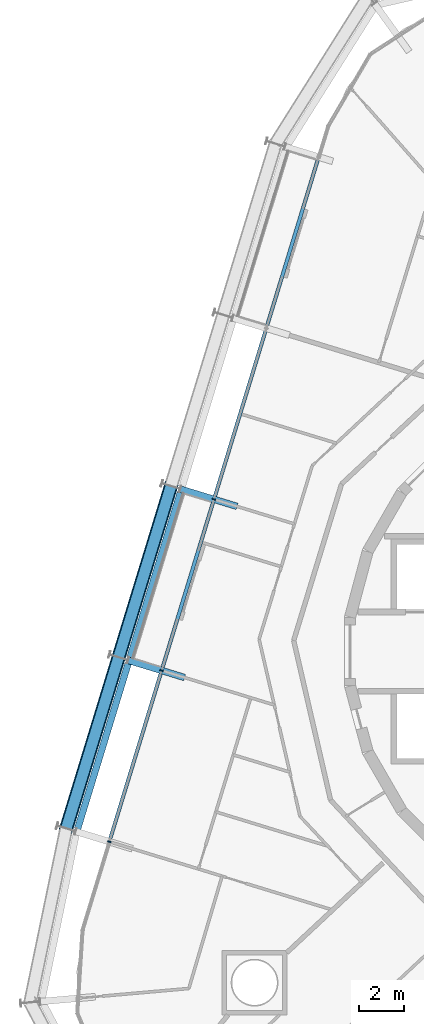
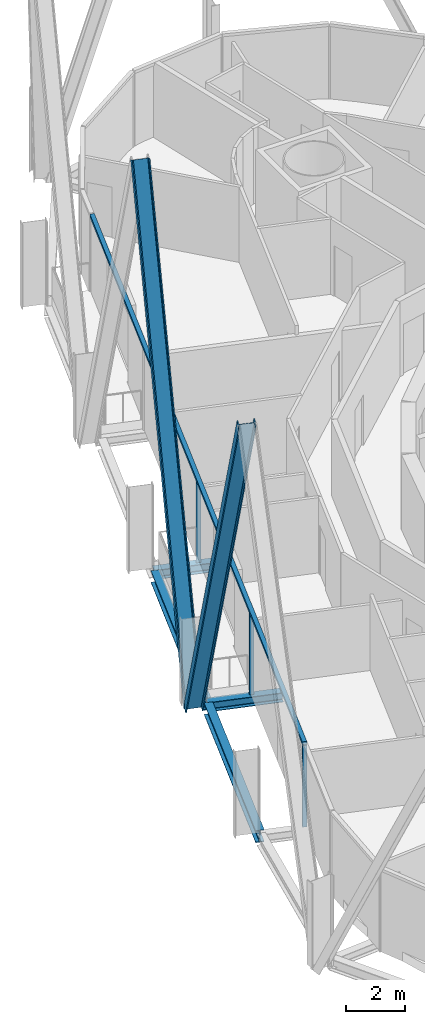
# One storey, part 5 of 18: 6 members, 4 beams, 2 elements without a shape of their own.
"""IFC4 building model written with IfcOpenShell, lengths in metres."""

from ifc_helpers import new_model, si_unit, direction, frame, origin, origin_2d, place, context, subcontext, project, spatial, rectangle, i_section, extrude, material, layer, layer_set, material_profile, profile_set, type_object, element, aggregate, save


model = new_model("IFC4")

# Units and contexts
model_context = context("Model", 3, precision=1e-05, world=origin(), true_north=direction((0.0, 1.0)))
body_context = subcontext(model_context, "Body", "Model", "MODEL_VIEW")
ifc_project = project(units=[si_unit("LENGTHUNIT", "METRE"), si_unit("AREAUNIT", "SQUARE_METRE"), si_unit("VOLUMEUNIT", "CUBIC_METRE"), si_unit("PLANEANGLEUNIT", "RADIAN"), si_unit("MASSUNIT", "GRAM", prefix="KILO")], contexts=[model_context])

# Site, building, storey
site_placement = place(None, origin())
site = spatial("IfcSite", under=ifc_project, at=site_placement, CompositionType="ELEMENT")
building_placement = place(site_placement, origin())
building = spatial("IfcBuilding", under=site, at=building_placement, Name="Spindle Arch Residences", CompositionType="ELEMENT")
storey_placement = place(building_placement, frame((0.0, 0.0, 127.39990234375)))
storey = spatial("IfcBuildingStorey", under=building, at=storey_placement, Name="L31", CompositionType="ELEMENT", Elevation=127.39990234375)

# Curtain wall, members
ifc_material_1 = material(Name="Aluminium bronze unitised frame with tinted glass", Category="aluminium")
ifc_layer_1 = layer(ifc_material_1, 0.159912109375)
ifc_layer_set_1 = layer_set([ifc_layer_1], Name="CW-C typical residential unitised wall")
curtain_wall_type_1 = type_object("IfcCurtainWallType", Name="CW-C typical residential unitised wall", PredefinedType="NOTDEFINED", material=ifc_layer_set_1)
curtain_wall_1_placement = place(storey_placement, origin())
curtain_wall_1 = element("IfcCurtainWall", 1, at=curtain_wall_1_placement, inside=storey, type_object=curtain_wall_type_1, Name="CW-C L31 run 4", PredefinedType="NOTDEFINED")
ifc_material_2 = material(Name="Aluminium bronze anodised mullion", Category="aluminium")
ifc_material_profile_1 = material_profile(ifc_material_2, rectangle(XDim=0.159912109375, YDim=0.06005859375, at=origin_2d()), Name="MU 60x160")
ifc_profile_set_1 = profile_set([ifc_material_profile_1], Name="Aluminium bronze anodised mullion")
member_type_1 = type_object("IfcMemberType", Name="Bronze mullion 60x160", PredefinedType="MULLION", material=ifc_profile_set_1)
member_1_placement = place(storey_placement, frame((-17.750732421875, 6.826171875, -0.3798828125), z_axis=(0.0, 0.0, 1.0), x_axis=(0.956304755963, -0.292371704723, 0.0)))
member_1 = element("IfcMember", 2, at=member_1_placement, type_object=member_type_1, Name="CW-C mullion 14", PredefinedType="MULLION", context=body_context, shape_type="SweptSolid", body=[
    extrude(rectangle(XDim=0.159912109375, YDim=0.06005859375, at=origin_2d()), origin(), (0.0, 0.0, 1.0), 3.3798828125),
])
member_2_placement = place(storey_placement, frame((-20.09814453125, -0.85205078125, -0.3798828125), z_axis=(0.0, 0.0, 1.0), x_axis=(0.956304755963, -0.292371704723, 0.0)))
member_2 = element("IfcMember", 3, at=member_2_placement, type_object=member_type_1, Name="CW-C mullion 15", PredefinedType="MULLION", context=body_context, shape_type="SweptSolid", body=[
    extrude(rectangle(XDim=0.159912109375, YDim=0.06005859375, at=origin_2d()), origin(), (0.0, 0.0, 1.0), 3.3798828125),
])

# Curtain wall, member
ifc_material_3 = material(Name="Aluminium bronze unitised frame with tinted glass", Category="aluminium")
ifc_layer_2 = layer(ifc_material_3, 0.159912109375)
ifc_layer_set_2 = layer_set([ifc_layer_2], Name="CW-D corner wall on the fillet arcs")
curtain_wall_type_2 = type_object("IfcCurtainWallType", Name="CW-D corner wall on the fillet arcs", PredefinedType="NOTDEFINED", material=ifc_layer_set_2)
curtain_wall_2_placement = place(storey_placement, origin())
curtain_wall_2 = element("IfcCurtainWall", 4, at=curtain_wall_2_placement, inside=storey, type_object=curtain_wall_type_2, Name="CW-D L31 run 5", PredefinedType="NOTDEFINED")
member_3_placement = place(storey_placement, frame((-22.44580078125, -8.5302734375, -0.3798828125), z_axis=(0.0, 0.0, 1.0), x_axis=(0.956304755963, -0.292371704723, 0.0)))
member_3 = element("IfcMember", 5, at=member_3_placement, type_object=member_type_1, Name="CW-D mullion 00", PredefinedType="MULLION", context=body_context, shape_type="SweptSolid", body=[
    extrude(rectangle(XDim=0.159912109375, YDim=0.06005859375, at=origin_2d()), origin(), (0.0, 0.0, 1.0), 3.3798828125),
])
aggregate(curtain_wall_2, [member_3])

# Member
ifc_material_4 = material(Name="Aluminium bronze anodised transom", Category="aluminium")
ifc_material_profile_2 = material_profile(ifc_material_4, rectangle(XDim=0.159912109375, YDim=0.1201171875, at=origin_2d()), Name="TR 120x160")
ifc_profile_set_2 = profile_set([ifc_material_profile_2], Name="Aluminium bronze anodised transom")
member_type_2 = type_object("IfcMemberType", Name="Bronze transom 120x160", PredefinedType="USERDEFINED", material=ifc_profile_set_2)
member_4_placement = place(storey_placement, frame((-13.064453125, 22.154296875, 3.06005859375), z_axis=(-0.292373902287, -0.956304084097, 0.0), x_axis=(0.956304084097, -0.292373902287, 0.0)))
member_4 = element("IfcMember", 6, at=member_4_placement, type_object=member_type_2, Name="CW-C transom 00", ObjectType="TRANSOM", PredefinedType="USERDEFINED", context=body_context, shape_type="SweptSolid", body=[
    extrude(rectangle(XDim=0.159912109375, YDim=0.1201171875, at=origin_2d()), origin(), (0.0, 0.0, 1.0), 32.056640625),
])

aggregate(curtain_wall_1, [member_4, member_1, member_2])

# Members
ifc_material_5 = material(Name="Steel S460ML, intumescent coating R 240", Category="steel")
ifc_material_profile_3 = material_profile(ifc_material_5, i_section(OverallWidth=0.304931640625, OverallDepth=0.6201171875, WebThickness=0.02099609375, FlangeThickness=0.0400390625, FilletRadius=0.027099609375, at=origin_2d()), Name="HEM 600")
ifc_profile_set_3 = profile_set([ifc_material_profile_3], Name="Steel S460ML, intumescent coating R 240")
member_type_3 = type_object("IfcMemberType", Name="Diagrid diagonal HEM 600", PredefinedType="BRACE", material=ifc_profile_set_3)
for number, where, z_axis, x_axis, name in (
    (7, (-22.02978515625, -0.261474609375, -0.6298828125), (0.123237067276, 0.403112740812, 0.906814613603), (-0.265113427183, -0.867195257236, 0.421529662723), "Diagrid diagonal 3.2.15"),
    (8, (-22.02978515625, -0.261474609375, -0.6298828125), (-0.12325032655, -0.403101369591, 0.906817866409), (0.265147303858, 0.867188301406, 0.421522665062), "Diagrid diagonal 3.2.16"),
):
    element("IfcMember", number, at=place(storey_placement, frame(where, z_axis=z_axis, x_axis=x_axis)), inside=storey, type_object=member_type_3, Name=name, PredefinedType="BRACE", context=body_context, shape_type="SweptSolid", body=[
        extrude(i_section(OverallWidth=0.304931640625, OverallDepth=0.6201171875, WebThickness=0.02099609375, FlangeThickness=0.0400390625, FilletRadius=0.027099609375, at=origin_2d()), origin(), (0.0, 0.0, 1.0), 19.0478515625),
    ])

# Beams
ifc_material_6 = material(Name="Steel S460ML, intumescent coating R 120", Category="steel")
ifc_material_profile_4 = material_profile(ifc_material_6, i_section(OverallWidth=0.300048828125, OverallDepth=0.5, WebThickness=0.014404296875, FlangeThickness=0.028076171875, FilletRadius=0.027099609375, at=origin_2d()), Name="HEB 500")
ifc_profile_set_4 = profile_set([ifc_material_profile_4], Name="Steel S460ML, intumescent coating R 120")
beam_type_1 = type_object("IfcBeamType", Name="Exoskeleton edge beam HEB 500", PredefinedType="BEAM", material=ifc_profile_set_4)
beam_1_placement = place(storey_placement, frame((-19.251708984375, 7.1494140625, -0.6298828125), z_axis=(-0.292363030977, -0.95630740775, 0.0), x_axis=(0.95630740775, -0.292363030977, 0.0)))
element("IfcBeam", 9, at=beam_1_placement, inside=storey, type_object=beam_type_1, Name="Exoskeleton edge beam 15", PredefinedType="BEAM", context=body_context, shape_type="SweptSolid", body=[
    extrude(i_section(OverallWidth=0.300048828125, OverallDepth=0.5, WebThickness=0.014404296875, FlangeThickness=0.028076171875, FilletRadius=0.027099609375, at=origin_2d()), origin(), (0.0, 0.0, 1.0), 7.769287109375),
])
beam_2_placement = place(storey_placement, frame((-21.599365234375, -0.529052734375, -0.6298828125), z_axis=(-0.292371816855, -0.956304721681, 0.0), x_axis=(0.956304721681, -0.292371816855, 0.0)))
element("IfcBeam", 10, at=beam_2_placement, inside=storey, type_object=beam_type_1, Name="Exoskeleton edge beam 16", PredefinedType="BEAM", context=body_context, shape_type="SweptSolid", body=[
    extrude(i_section(OverallWidth=0.300048828125, OverallDepth=0.5, WebThickness=0.014404296875, FlangeThickness=0.028076171875, FilletRadius=0.027099609375, at=origin_2d()), origin(), (0.0, 0.0, 1.0), 7.76904296875),
])
ifc_material_7 = material(Name="Steel S460ML, intumescent coating R 120", Category="steel")
ifc_material_profile_5 = material_profile(ifc_material_7, i_section(OverallWidth=0.300048828125, OverallDepth=0.389892578125, WebThickness=0.010986328125, FlangeThickness=0.01904296875, FilletRadius=0.027099609375, at=origin_2d()), Name="HEA 400")
ifc_profile_set_5 = profile_set([ifc_material_profile_5], Name="Steel S460ML, intumescent coating R 120")
beam_type_2 = type_object("IfcBeamType", Name="Floor outrigger HEA 400", PredefinedType="BEAM", material=ifc_profile_set_5)
for number, where, z_axis, x_axis, name in (
    (11, (-19.252197265625, 7.285400390625, -0.574951171875), (0.956291475666, -0.292415139091, 0.0), (0.292415139091, 0.956291475666, 0.0), "Floor outrigger 15"),
    (12, (-21.599609375, -0.39306640625, -0.574951171875), (0.956291475666, -0.292415139091, 0.0), (0.292415139091, 0.956291475666, 0.0), "Floor outrigger 16"),
):
    element("IfcBeam", number, at=place(storey_placement, frame(where, z_axis=z_axis, x_axis=x_axis)), inside=storey, type_object=beam_type_2, Name=name, PredefinedType="BEAM", context=body_context, shape_type="SweptSolid", body=[
        extrude(i_section(OverallWidth=0.300048828125, OverallDepth=0.389892578125, WebThickness=0.010986328125, FlangeThickness=0.01904296875, FilletRadius=0.027099609375, at=origin_2d()), origin(), (0.0, 0.0, 1.0), 2.64990234375),
    ])

save(model, "model.ifc")
